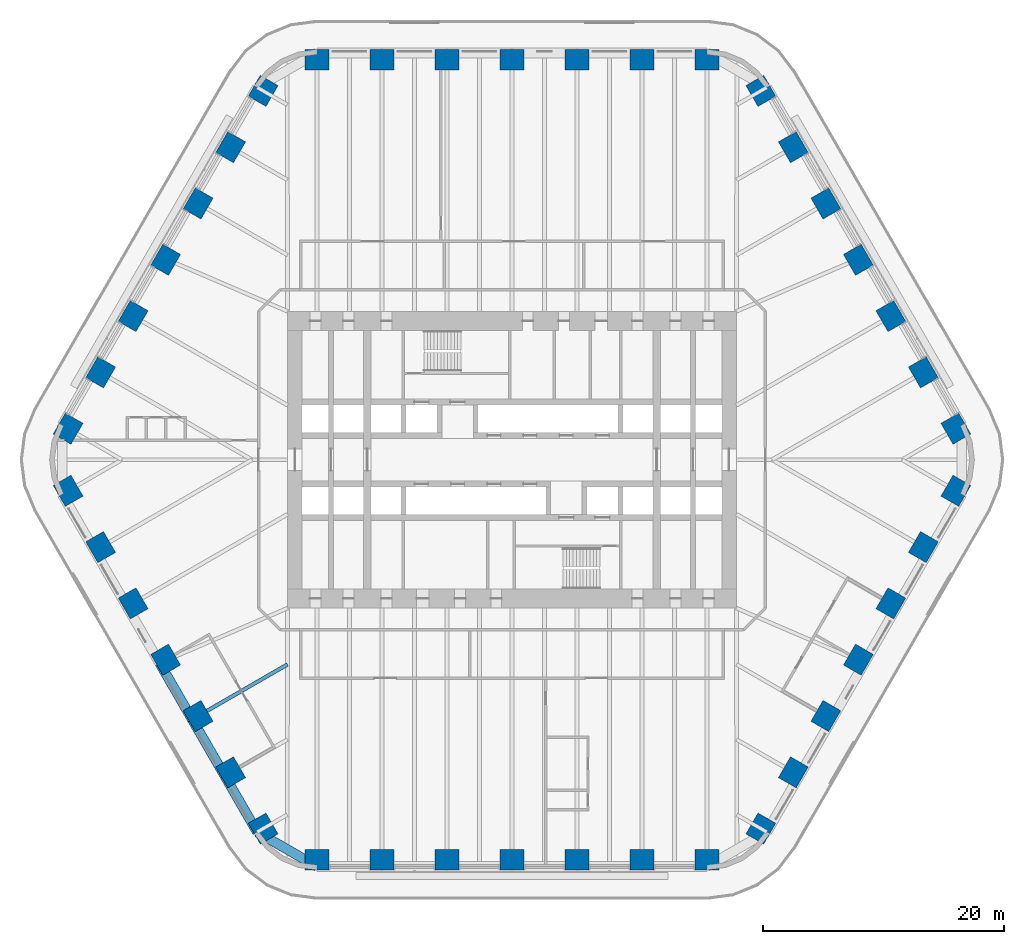
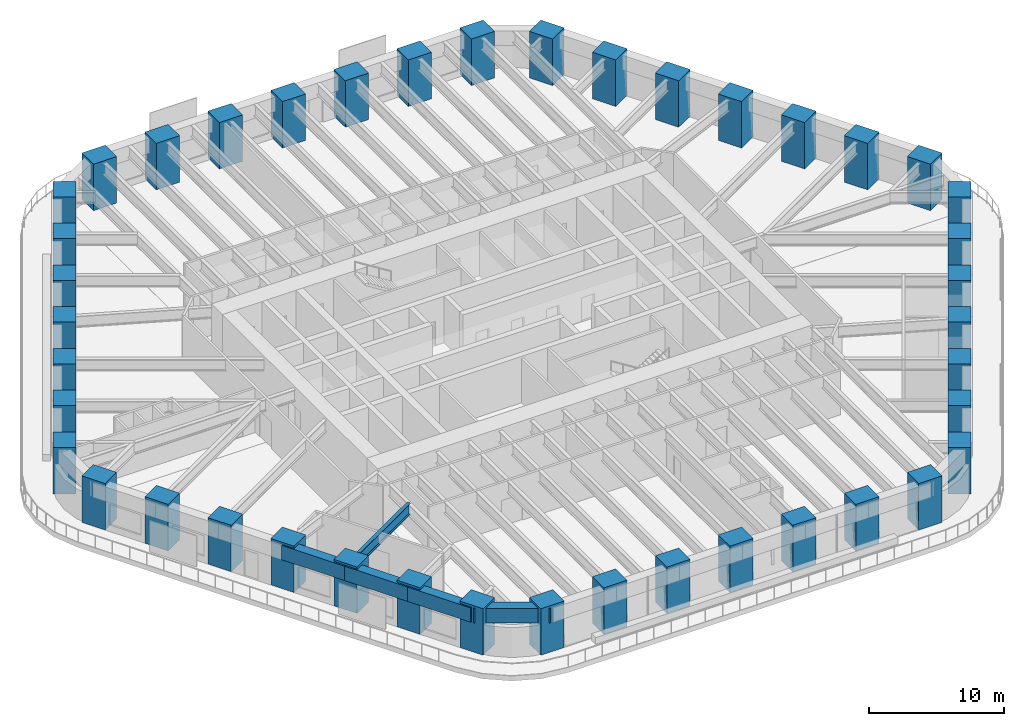
# One storey, part 1 of 23: 42 columns, 5 beams.
"""IFC4 building model written with IfcOpenShell, lengths in metres."""

from ifc_helpers import new_model, si_unit, direction, frame, origin, origin_2d, place, context, subcontext, project, spatial, rectangle, i_section, extrude, material, material_profile, profile_set, type_object, element, save


model = new_model("IFC4")

# Units and contexts
model_context = context("Model", 3, precision=1e-05, world=origin(), true_north=direction((0.0, 1.0)))
body_context = subcontext(model_context, "Body", "Model", "MODEL_VIEW")
ifc_project = project(units=[si_unit("LENGTHUNIT", "METRE"), si_unit("AREAUNIT", "SQUARE_METRE"), si_unit("VOLUMEUNIT", "CUBIC_METRE"), si_unit("PLANEANGLEUNIT", "RADIAN"), si_unit("MASSUNIT", "GRAM", prefix="KILO")], contexts=[model_context])

# Site, building, storey
site_placement = place(None, origin())
site = spatial("IfcSite", under=ifc_project, at=site_placement, CompositionType="ELEMENT")
building_placement = place(site_placement, origin())
building = spatial("IfcBuilding", under=site, at=building_placement, Name="Tarfa Lantern Tower", CompositionType="ELEMENT")
storey_placement = place(building_placement, frame((0.0, 0.0, 78.10009765625)))
storey = spatial("IfcBuildingStorey", under=building, at=storey_placement, Name="L17", CompositionType="ELEMENT", Elevation=78.10009765625)

# Columns
ifc_material_1 = material(Name="Concrete C80/95", Category="concrete")
ifc_material_profile_1 = material_profile(ifc_material_1, rectangle(XDim=2.0, YDim=1.699951171875, at=origin_2d()), Name="RC 2000x1700")
ifc_profile_set_1 = profile_set([ifc_material_profile_1], Name="Concrete C80/95")
column_type = type_object("IfcColumnType", Name="TC3 RC 2000x1700", PredefinedType="COLUMN", material=ifc_profile_set_1)
for number, where, z_axis, x_axis, name in (
    (1, (36.791748046875, 2.574951171875, 0.0), (0.0, 0.0, 1.0), (-0.5, 0.866025403784, 0.0), "Tube column NE0"),
    (2, (34.097412109375, 7.24169921875, 0.0), (0.0, 0.0, 1.0), (-0.5, 0.866025403784, 0.0), "Tube column NE1"),
    (3, (31.403076171875, 11.908447265625, 0.0), (0.0, 0.0, 1.0), (-0.5, 0.866025403784, 0.0), "Tube column NE2"),
    (4, (28.708740234375, 16.574951171875, 0.0), (0.0, 0.0, 1.0), (-0.5, 0.866025403784, 0.0), "Tube column NE3"),
    (5, (26.014404296875, 21.24169921875, 0.0), (0.0, 0.0, 1.0), (-0.5, 0.866025403784, 0.0), "Tube column NE4"),
    (6, (23.320068359375, 25.908447265625, 0.0), (0.0, 0.0, 1.0), (-0.5, 0.866025403784, 0.0), "Tube column NE5"),
    (7, (20.625732421875, 30.574951171875, 0.0), (0.0, 0.0, 1.0), (-0.5, 0.866025403784, 0.0), "Tube column NE6"),
    (8, (16.165771484375, 33.14990234375, 0.0), (0.0, 0.0, 1.0), (-1.0, 0.0, 0.0), "Tube column N0"),
    (9, (10.777099609375, 33.14990234375, 0.0), (0.0, 0.0, 1.0), (-1.0, 0.0, 0.0), "Tube column N1"),
    (10, (5.388671875, 33.14990234375, 0.0), (0.0, 0.0, 1.0), (-1.0, 0.0, 0.0), "Tube column N2"),
    (11, (0.0, 33.14990234375, 0.0), (0.0, 0.0, 1.0), (-1.0, 0.0, 0.0), "Tube column N3"),
    (12, (-5.388671875, 33.14990234375, 0.0), (0.0, 0.0, 1.0), (-1.0, 0.0, 0.0), "Tube column N4"),
    (13, (-10.777099609375, 33.14990234375, 0.0), (0.0, 0.0, 1.0), (-1.0, 0.0, 0.0), "Tube column N5"),
    (14, (-16.165771484375, 33.14990234375, 0.0), (0.0, 0.0, 1.0), (-1.0, 0.0, 0.0), "Tube column N6"),
    (15, (-20.625732421875, 30.574951171875, 0.0), (0.0, 0.0, 1.0), (-0.5, -0.866025403784, 0.0), "Tube column NW0"),
    (16, (-23.320068359375, 25.908447265625, 0.0), (0.0, 0.0, 1.0), (-0.5, -0.866025403784, 0.0), "Tube column NW1"),
    (17, (-26.014404296875, 21.24169921875, 0.0), (0.0, 0.0, 1.0), (-0.5, -0.866025403784, 0.0), "Tube column NW2"),
    (18, (-28.708740234375, 16.574951171875, 0.0), (0.0, 0.0, 1.0), (-0.5, -0.866025403784, 0.0), "Tube column NW3"),
    (19, (-31.403076171875, 11.908447265625, 0.0), (0.0, 0.0, 1.0), (-0.5, -0.866025403784, 0.0), "Tube column NW4"),
    (20, (-34.097412109375, 7.24169921875, 0.0), (0.0, 0.0, 1.0), (-0.5, -0.866025403784, 0.0), "Tube column NW5"),
    (21, (-36.791748046875, 2.574951171875, 0.0), (0.0, 0.0, 1.0), (-0.5, -0.866025403784, 0.0), "Tube column NW6"),
    (22, (-36.791748046875, -2.574951171875, 0.0), (0.0, 0.0, 1.0), (0.5, -0.866025403784, 0.0), "Tube column SW0"),
    (23, (-34.097412109375, -7.24169921875, 0.0), (0.0, 0.0, 1.0), (0.5, -0.866025403784, 0.0), "Tube column SW1"),
    (24, (-31.403076171875, -11.908447265625, 0.0), (0.0, 0.0, 1.0), (0.5, -0.866025403784, 0.0), "Tube column SW2"),
    (25, (-28.708740234375, -16.574951171875, 0.0), (0.0, 0.0, 1.0), (0.5, -0.866025403784, 0.0), "Tube column SW3"),
    (26, (-26.014404296875, -21.24169921875, 0.0), (0.0, 0.0, 1.0), (0.5, -0.866025403784, 0.0), "Tube column SW4"),
    (27, (-23.320068359375, -25.908447265625, 0.0), (0.0, 0.0, 1.0), (0.5, -0.866025403784, 0.0), "Tube column SW5"),
    (28, (-20.625732421875, -30.574951171875, 0.0), (0.0, 0.0, 1.0), (0.5, -0.866025403784, 0.0), "Tube column SW6"),
    (29, (-16.165771484375, -33.14990234375, 0.0), (0.0, 0.0, 1.0), (1.0, 0.0, 0.0), "Tube column S0"),
    (30, (-10.777099609375, -33.14990234375, 0.0), (0.0, 0.0, 1.0), (1.0, 0.0, 0.0), "Tube column S1"),
    (31, (-5.388671875, -33.14990234375, 0.0), (0.0, 0.0, 1.0), (1.0, 0.0, 0.0), "Tube column S2"),
    (32, (0.0, -33.14990234375, 0.0), (0.0, 0.0, 1.0), (1.0, 0.0, 0.0), "Tube column S3"),
    (33, (5.388671875, -33.14990234375, 0.0), (0.0, 0.0, 1.0), (1.0, 0.0, 0.0), "Tube column S4"),
    (34, (10.777099609375, -33.14990234375, 0.0), (0.0, 0.0, 1.0), (1.0, 0.0, 0.0), "Tube column S5"),
    (35, (16.165771484375, -33.14990234375, 0.0), (0.0, 0.0, 1.0), (1.0, 0.0, 0.0), "Tube column S6"),
    (36, (20.625732421875, -30.574951171875, 0.0), (0.0, 0.0, 1.0), (0.5, 0.866025403784, 0.0), "Tube column SE0"),
    (37, (23.320068359375, -25.908447265625, 0.0), (0.0, 0.0, 1.0), (0.5, 0.866025403784, 0.0), "Tube column SE1"),
    (38, (26.014404296875, -21.24169921875, 0.0), (0.0, 0.0, 1.0), (0.5, 0.866025403784, 0.0), "Tube column SE2"),
    (39, (28.708740234375, -16.574951171875, 0.0), (0.0, 0.0, 1.0), (0.5, 0.866025403784, 0.0), "Tube column SE3"),
    (40, (31.403076171875, -11.908447265625, 0.0), (0.0, 0.0, 1.0), (0.5, 0.866025403784, 0.0), "Tube column SE4"),
    (41, (34.097412109375, -7.24169921875, 0.0), (0.0, 0.0, 1.0), (0.5, 0.866025403784, 0.0), "Tube column SE5"),
    (42, (36.791748046875, -2.574951171875, 0.0), (0.0, 0.0, 1.0), (0.5, 0.866025403784, 0.0), "Tube column SE6"),
):
    element("IfcColumn", number, at=place(storey_placement, frame(where, z_axis=z_axis, x_axis=x_axis)), inside=storey, type_object=column_type, Name=name, PredefinedType="COLUMN", context=body_context, shape_type="SweptSolid", body=[
        extrude(rectangle(XDim=2.0, YDim=1.699951171875, at=origin_2d()), origin(), (0.0, 0.0, 1.0), 4.199951171875),
    ])

# Beams
ifc_material_profile_2 = material_profile(ifc_material_1, rectangle(XDim=0.800048828125, YDim=1.300048828125, at=origin_2d()), Name="RC 800x1300")
ifc_profile_set_2 = profile_set([ifc_material_profile_2], Name="Concrete C80/95")
beam_type_1 = type_object("IfcBeamType", Name="EB1 RC 800x1300", PredefinedType="SPANDREL", material=ifc_profile_set_2)
beam_1_placement = place(storey_placement, frame((-29.202392578125, -16.860107421875, 3.349853515625), z_axis=(0.500017906299, -0.866015065331, 0.0), x_axis=(0.866015065331, 0.500017906299, 0.0)))
element("IfcBeam", 43, at=beam_1_placement, inside=storey, type_object=beam_type_1, Name="Edge beam SW3", PredefinedType="SPANDREL", context=body_context, shape_type="SweptSolid", body=[
    extrude(rectangle(XDim=0.800048828125, YDim=1.300048828125, at=origin_2d()), origin(), (0.0, 0.0, 1.0), 5.388427734375),
])
for number, where, z_axis, x_axis, name in (
    (44, (-26.508056640625, -21.526611328125, 3.349853515625), (0.499998287579, -0.866026392449, 0.0), (0.866026392449, 0.499998287579, 0.0), "Edge beam SW4"),
    (45, (-23.813720703125, -26.193359375, 3.349853515625), (0.499998287579, -0.866026392449, 0.0), (0.866026392449, 0.499998287579, 0.0), "Edge beam SW5"),
):
    element("IfcBeam", number, at=place(storey_placement, frame(where, z_axis=z_axis, x_axis=x_axis)), inside=storey, type_object=beam_type_1, Name=name, PredefinedType="SPANDREL", context=body_context, shape_type="SweptSolid", body=[
        extrude(rectangle(XDim=0.800048828125, YDim=1.300048828125, at=origin_2d()), origin(), (0.0, 0.0, 1.0), 5.388671875),
    ])
beam_2_placement = place(storey_placement, frame((-21.119384765625, -30.860107421875, 3.349853515625), z_axis=(0.866033479681, -0.499986011877, 0.0), x_axis=(0.499986011877, 0.866033479681, 0.0)))
element("IfcBeam", 46, at=beam_2_placement, inside=storey, type_object=beam_type_1, Name="Edge beam SW6", PredefinedType="SPANDREL", context=body_context, shape_type="SweptSolid", body=[
    extrude(rectangle(XDim=0.800048828125, YDim=1.300048828125, at=origin_2d()), origin(), (0.0, 0.0, 1.0), 5.719970703125),
])
ifc_material_2 = material(Name="Steel S460M", Category="steel")
ifc_material_profile_3 = material_profile(ifc_material_2, i_section(OverallWidth=0.302001953125, OverallDepth=1.008056640625, WebThickness=0.02099609375, FlangeThickness=0.0400390625, FilletRadius=0.030029296875, at=origin_2d()), Name="UB1016x305x349")
ifc_profile_set_3 = profile_set([ifc_material_profile_3], Name="Steel S460M")
beam_type_2 = type_object("IfcBeamType", Name="UB1016x305x349", PredefinedType="BEAM", material=ifc_profile_set_3)
beam_3_placement = place(storey_placement, frame((-26.508056640625, -21.526611328125, 3.495849609375), z_axis=(0.866035355799, 0.49998276221, 0.0), x_axis=(-0.49998276221, 0.866035355799, 0.0)))
element("IfcBeam", 47, at=beam_3_placement, inside=storey, type_object=beam_type_2, Name="Floor beam SW4", PredefinedType="BEAM", context=body_context, shape_type="SweptSolid", body=[
    extrude(i_section(OverallWidth=0.302001953125, OverallDepth=1.008056640625, WebThickness=0.02099609375, FlangeThickness=0.0400390625, FilletRadius=0.030029296875, at=origin_2d()), origin(), (0.0, 0.0, 1.0), 9.119873046875),
])

save(model, "model.ifc")
